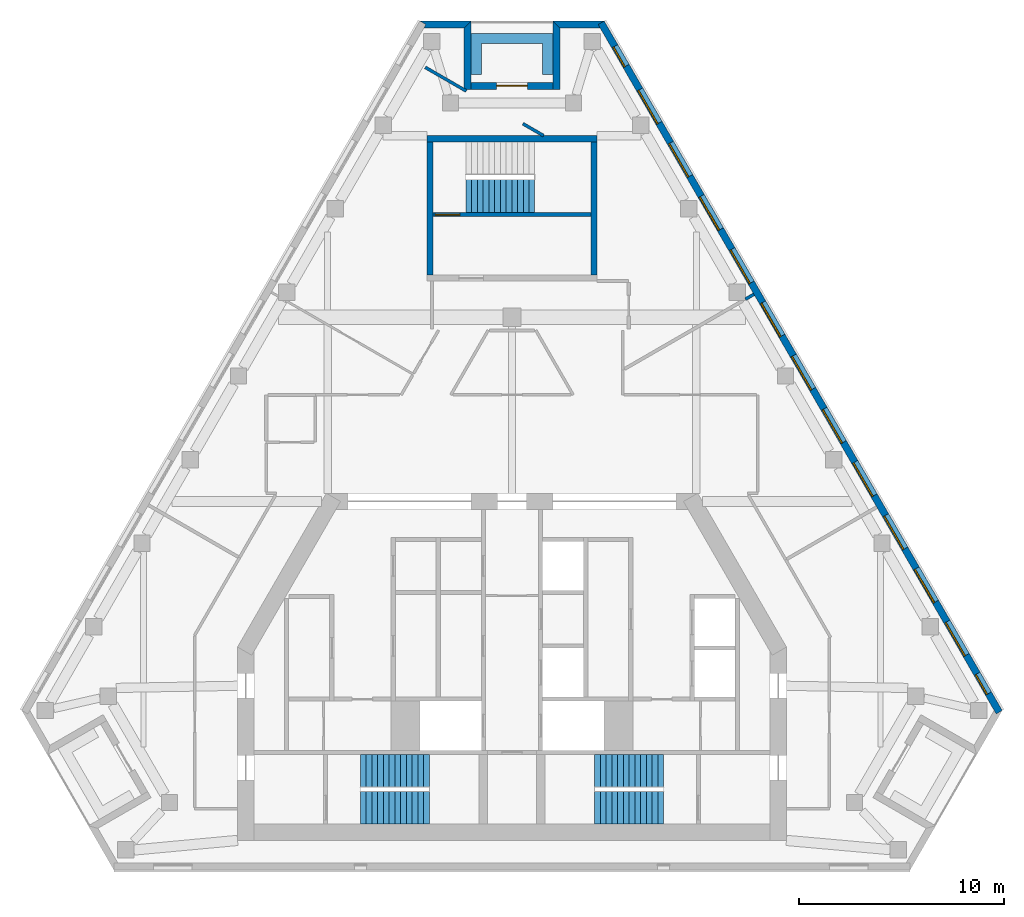
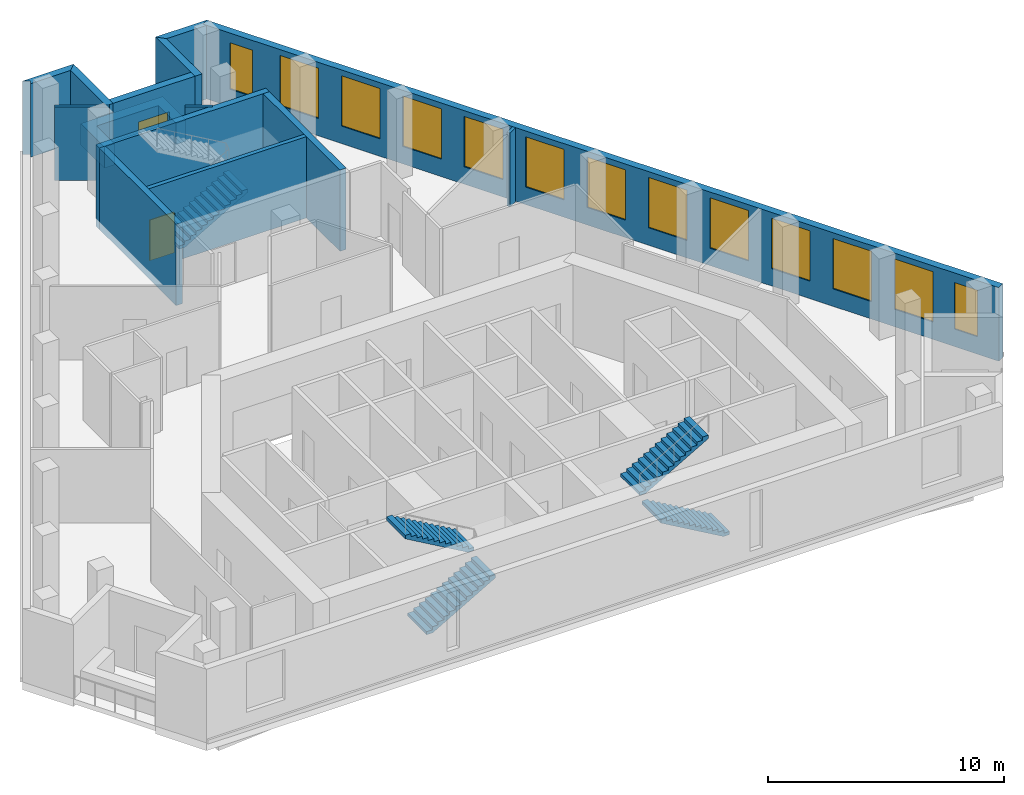
# One storey, part 6 of 8: 14 walls, 13 windows, 5 stair flights, 2 doors, 15 openings, 3 elements without a shape of their own.
"""IFC4 building model written with IfcOpenShell, lengths in metres."""

from ifc_helpers import new_model, si_unit, direction, frame, frame_2d, origin, place, context, subcontext, project, spatial, polyline, rectangle, outline, extrude, material, layer, layer_set, type_object, element, fill, aggregate, save


model = new_model("IFC4")

# Units and contexts
model_context = context("Model", 3, precision=1e-05, world=origin(), true_north=direction((0.0, 1.0)))
body_context = subcontext(model_context, "Body", "Model", "MODEL_VIEW")
ifc_project = project(units=[si_unit("LENGTHUNIT", "METRE"), si_unit("AREAUNIT", "SQUARE_METRE"), si_unit("VOLUMEUNIT", "CUBIC_METRE"), si_unit("PLANEANGLEUNIT", "RADIAN"), si_unit("MASSUNIT", "GRAM", prefix="KILO")], contexts=[model_context])

# Site, building, storey
site_placement = place(None, origin())
site = spatial("IfcSite", under=ifc_project, at=site_placement, CompositionType="ELEMENT")
building_placement = place(site_placement, origin())
building = spatial("IfcBuilding", under=site, at=building_placement, Name="Fogline Exchange Tower", CompositionType="ELEMENT")
storey_placement = place(building_placement, frame((0.0, 0.0, 335.10009765625)))
storey = spatial("IfcBuildingStorey", under=building, at=storey_placement, Name="L76", CompositionType="ELEMENT", Elevation=335.10009765625)

# Wall, opening, door
ifc_material_1 = material(Name="Concrete C40", Category="concrete")
ifc_layer_1 = layer(ifc_material_1, 0.199951171875)
ifc_layer_set_1 = layer_set([ifc_layer_1], Name="CW20R")
wall_type_1 = type_object("IfcWallType", Name="CW20R", PredefinedType="SOLIDWALL", material=ifc_layer_set_1)
wall_1_placement = place(storey_placement, frame((-3.85009765625, 32.007080078125, -0.400146484375), z_axis=(0.0, 0.0, 1.0), x_axis=(1.0, 0.0, 0.0)))
wall_1 = element("IfcWall", 1, at=wall_1_placement, inside=storey, type_object=wall_type_1, Name="Stair enclosure wall ST3", PredefinedType="SOLIDWALL", context=body_context, shape_type="SweptSolid", body=[
    extrude(rectangle(XDim=7.7001953125, YDim=0.199951171875, at=frame_2d((3.85009765625, 0.0))), origin(), (0.0, 0.0, 1.0), 4.199951171875),
])
opening_1_placement = place(wall_1_placement, frame((0.10009765625, 0.0, 0.39990234375)))
opening_1 = element("IfcOpeningElement", 2, at=opening_1_placement, cuts=wall_1, Name="Opening T24-C024", PredefinedType="OPENING", context=body_context, shape_type="SweptSolid", body=[
    extrude(rectangle(XDim=1.199951171875, YDim=2.10009765625, at=frame_2d((0.60009765625, 1.050048828125))), frame((0.0, 0.10986328125, 0.0), z_axis=(0.0, -1.0, 0.0), x_axis=(1.0, 0.0, 0.0)), (0.0, 0.0, 1.0), 0.219970703125),
])
ifc_material_2 = material(Name="Steel and timber fire door", Category="steel")
door_type_1 = type_object("IfcDoorType", Name="D-ST1", OperationType="SINGLE_SWING_LEFT", PredefinedType="DOOR", material=ifc_material_2)
door_1_placement = place(opening_1_placement, origin())
door_1 = element("IfcDoor", 3, at=door_1_placement, inside=storey, type_object=door_type_1, Name="Stair door ST3", OperationType="SINGLE_SWING_LEFT", OverallHeight=2.10009765625, OverallWidth=1.199951171875, PredefinedType="DOOR", context=body_context, shape_type="SweptSolid", body=[
    extrude(rectangle(XDim=1.199951171875, YDim=2.10009765625, at=frame_2d((0.60009765625, 1.050048828125))), frame((0.0, 0.02490234375, 0.0), z_axis=(0.0, -1.0, 0.0), x_axis=(1.0, 0.0, 0.0)), (0.0, 0.0, 1.0), 0.050048828125),
])
fill(opening_1, door_1)

# Walls
ifc_layer_2 = layer(ifc_material_1, 0.300048828125)
ifc_layer_set_2 = layer_set([ifc_layer_2], Name="CW30")
wall_type_2 = type_object("IfcWallType", Name="CW30", PredefinedType="SOLIDWALL", material=ifc_layer_set_2)
wall_2_placement = place(storey_placement, frame((-4.14990234375, 35.70703125, -0.400146484375), z_axis=(0.0, 0.0, 1.0), x_axis=(1.0, 0.0, 0.0)))
element("IfcWall", 4, at=wall_2_placement, inside=storey, type_object=wall_type_2, Name="Stair enclosure wall ST3", PredefinedType="SOLIDWALL", context=body_context, shape_type="SweptSolid", body=[
    extrude(rectangle(XDim=8.2998046875, YDim=0.300048828125, at=frame_2d((4.14990234375, 0.0))), origin(), (0.0, 0.0, 1.0), 4.199951171875),
])
for number, where, z_axis, x_axis, name in (
    (5, (-4.0, 29.056884765625, -0.400146484375), (0.0, 0.0, 1.0), (0.0, 1.0, 0.0), "Stair enclosure wall ST3"),
    (6, (4.0, 29.056884765625, -0.400146484375), (0.0, 0.0, 1.0), (0.0, 1.0, 0.0), "Stair enclosure wall ST3"),
):
    element("IfcWall", number, at=place(storey_placement, frame(where, z_axis=z_axis, x_axis=x_axis)), inside=storey, type_object=wall_type_2, Name=name, PredefinedType="SOLIDWALL", context=body_context, shape_type="SweptSolid", body=[
        extrude(rectangle(XDim=6.5, YDim=0.300048828125, at=frame_2d((3.25, 0.0))), origin(), (0.0, 0.0, 1.0), 4.199951171875),
    ])

# Wall, openings, windows
ifc_material_3 = material(Name="Brick masonry", Category="masonry")
ifc_layer_3 = layer(ifc_material_3, 0.340087890625)
ifc_layer_set_3 = layer_set([ifc_layer_3], Name="FW1")
wall_type_3 = type_object("IfcWallType", Name="FW1", PredefinedType="SOLIDWALL", material=ifc_layer_set_3)
wall_3_placement = place(storey_placement, frame((23.787841796875, 7.709228515625, 0.0), z_axis=(0.0, 0.0, 1.0), x_axis=(-0.500001731347, 0.866024404189, 0.0)))
wall_3 = element("IfcWall", 7, at=wall_3_placement, inside=storey, type_object=wall_type_3, Name="Brick wall L76 E", PredefinedType="SOLIDWALL", context=body_context, shape_type="SweptSolid", body=[
    extrude(rectangle(XDim=38.869873046875, YDim=0.340087890625, at=frame_2d((19.43505859375, 0.0))), origin(), (0.0, 0.0, 1.0), 3.7998046875),
])
opening_2_placement = place(wall_3_placement, frame((3.217529296875, 0.0, 0.89990234375)))
opening_2 = element("IfcOpeningElement", 8, at=opening_2_placement, cuts=wall_3, Name="Opening W3", PredefinedType="OPENING", context=body_context, shape_type="SweptSolid", body=[
    extrude(rectangle(XDim=1.885009765625, YDim=2.60009765625, at=frame_2d((0.9423828125, 1.300048828125))), frame((0.0, 0.18017578125, 0.0), z_axis=(0.0, -1.0, 0.0), x_axis=(1.0, 0.0, 0.0)), (0.0, 0.0, 1.0), 0.360107421875),
])
opening_3_placement = place(wall_3_placement, frame((6.217529296875, 0.0, 0.89990234375)))
opening_3 = element("IfcOpeningElement", 9, at=opening_3_placement, cuts=wall_3, Name="Opening W3", PredefinedType="OPENING", context=body_context, shape_type="SweptSolid", body=[
    extrude(rectangle(XDim=1.885009765625, YDim=2.60009765625, at=frame_2d((0.9423828125, 1.300048828125))), frame((0.0, 0.18017578125, 0.0), z_axis=(0.0, -1.0, 0.0), x_axis=(1.0, 0.0, 0.0)), (0.0, 0.0, 1.0), 0.360107421875),
])
opening_4_placement = place(wall_3_placement, frame((9.217529296875, 0.0, 0.89990234375)))
opening_4 = element("IfcOpeningElement", 10, at=opening_4_placement, cuts=wall_3, Name="Opening W3", PredefinedType="OPENING", context=body_context, shape_type="SweptSolid", body=[
    extrude(rectangle(XDim=1.885009765625, YDim=2.60009765625, at=frame_2d((0.9423828125, 1.300048828125))), frame((0.0, 0.18017578125, 0.0), z_axis=(0.0, -1.0, 0.0), x_axis=(1.0, 0.0, 0.0)), (0.0, 0.0, 1.0), 0.360107421875),
])
opening_5_placement = place(wall_3_placement, frame((12.217529296875, 0.0, 0.89990234375)))
opening_5 = element("IfcOpeningElement", 11, at=opening_5_placement, cuts=wall_3, Name="Opening W3", PredefinedType="OPENING", context=body_context, shape_type="SweptSolid", body=[
    extrude(rectangle(XDim=1.885009765625, YDim=2.60009765625, at=frame_2d((0.9423828125, 1.300048828125))), frame((0.0, 0.18017578125, 0.0), z_axis=(0.0, -1.0, 0.0), x_axis=(1.0, 0.0, 0.0)), (0.0, 0.0, 1.0), 0.360107421875),
])
opening_6_placement = place(wall_3_placement, frame((15.217529296875, 0.0, 0.89990234375)))
opening_6 = element("IfcOpeningElement", 12, at=opening_6_placement, cuts=wall_3, Name="Opening W3", PredefinedType="OPENING", context=body_context, shape_type="SweptSolid", body=[
    extrude(rectangle(XDim=1.885009765625, YDim=2.60009765625, at=frame_2d((0.9423828125, 1.300048828125))), frame((0.0, 0.18017578125, 0.0), z_axis=(0.0, -1.0, 0.0), x_axis=(1.0, 0.0, 0.0)), (0.0, 0.0, 1.0), 0.360107421875),
])
opening_7_placement = place(wall_3_placement, frame((18.217529296875, 0.0, 0.89990234375)))
opening_7 = element("IfcOpeningElement", 13, at=opening_7_placement, cuts=wall_3, Name="Opening W3", PredefinedType="OPENING", context=body_context, shape_type="SweptSolid", body=[
    extrude(rectangle(XDim=1.885009765625, YDim=2.60009765625, at=frame_2d((0.9423828125, 1.300048828125))), frame((0.0, 0.18017578125, 0.0), z_axis=(0.0, -1.0, 0.0), x_axis=(1.0, 0.0, 0.0)), (0.0, 0.0, 1.0), 0.360107421875),
])
opening_8_placement = place(wall_3_placement, frame((21.217529296875, 0.0, 0.89990234375)))
opening_8 = element("IfcOpeningElement", 14, at=opening_8_placement, cuts=wall_3, Name="Opening W3", PredefinedType="OPENING", context=body_context, shape_type="SweptSolid", body=[
    extrude(rectangle(XDim=1.885009765625, YDim=2.60009765625, at=frame_2d((0.9423828125, 1.300048828125))), frame((0.0, 0.18017578125, 0.0), z_axis=(0.0, -1.0, 0.0), x_axis=(1.0, 0.0, 0.0)), (0.0, 0.0, 1.0), 0.360107421875),
])
opening_9_placement = place(wall_3_placement, frame((24.217529296875, 0.0, 0.89990234375)))
opening_9 = element("IfcOpeningElement", 15, at=opening_9_placement, cuts=wall_3, Name="Opening W3", PredefinedType="OPENING", context=body_context, shape_type="SweptSolid", body=[
    extrude(rectangle(XDim=1.885009765625, YDim=2.60009765625, at=frame_2d((0.9423828125, 1.300048828125))), frame((0.0, 0.18017578125, 0.0), z_axis=(0.0, -1.0, 0.0), x_axis=(1.0, 0.0, 0.0)), (0.0, 0.0, 1.0), 0.360107421875),
])
opening_10_placement = place(wall_3_placement, frame((27.217529296875, 0.0, 0.89990234375)))
opening_10 = element("IfcOpeningElement", 16, at=opening_10_placement, cuts=wall_3, Name="Opening W3", PredefinedType="OPENING", context=body_context, shape_type="SweptSolid", body=[
    extrude(rectangle(XDim=1.885009765625, YDim=2.60009765625, at=frame_2d((0.9423828125, 1.300048828125))), frame((0.0, 0.18017578125, 0.0), z_axis=(0.0, -1.0, 0.0), x_axis=(1.0, 0.0, 0.0)), (0.0, 0.0, 1.0), 0.360107421875),
])
opening_11_placement = place(wall_3_placement, frame((30.217529296875, 0.0, 0.89990234375)))
opening_11 = element("IfcOpeningElement", 17, at=opening_11_placement, cuts=wall_3, Name="Opening W3", PredefinedType="OPENING", context=body_context, shape_type="SweptSolid", body=[
    extrude(rectangle(XDim=1.885009765625, YDim=2.60009765625, at=frame_2d((0.9423828125, 1.300048828125))), frame((0.0, 0.18017578125, 0.0), z_axis=(0.0, -1.0, 0.0), x_axis=(1.0, 0.0, 0.0)), (0.0, 0.0, 1.0), 0.360107421875),
])
opening_12_placement = place(wall_3_placement, frame((33.217529296875, 0.0, 0.89990234375)))
opening_12 = element("IfcOpeningElement", 18, at=opening_12_placement, cuts=wall_3, Name="Opening W3", PredefinedType="OPENING", context=body_context, shape_type="SweptSolid", body=[
    extrude(rectangle(XDim=1.885009765625, YDim=2.60009765625, at=frame_2d((0.9423828125, 1.300048828125))), frame((0.0, 0.18017578125, 0.0), z_axis=(0.0, -1.0, 0.0), x_axis=(1.0, 0.0, 0.0)), (0.0, 0.0, 1.0), 0.360107421875),
])
opening_13_placement = place(wall_3_placement, frame((1.05126953125, 0.0, 0.89990234375)))
opening_13 = element("IfcOpeningElement", 19, at=opening_13_placement, cuts=wall_3, Name="Opening W4", PredefinedType="OPENING", context=body_context, shape_type="SweptSolid", body=[
    extrude(rectangle(XDim=1.114990234375, YDim=2.39990234375, at=frame_2d((0.5576171875, 1.199951171875))), frame((0.0, 0.18017578125, 0.0), z_axis=(0.0, -1.0, 0.0), x_axis=(1.0, 0.0, 0.0)), (0.0, 0.0, 1.0), 0.360107421875),
])
opening_14_placement = place(wall_3_placement, frame((36.4287109375, 0.0, 0.89990234375)))
opening_14 = element("IfcOpeningElement", 20, at=opening_14_placement, cuts=wall_3, Name="Opening W4", PredefinedType="OPENING", context=body_context, shape_type="SweptSolid", body=[
    extrude(rectangle(XDim=1.114990234375, YDim=2.39990234375, at=frame_2d((0.5576171875, 1.199951171875))), frame((0.0, 0.18017578125, 0.0), z_axis=(0.0, -1.0, 0.0), x_axis=(1.0, 0.0, 0.0)), (0.0, 0.0, 1.0), 0.360107421875),
])
ifc_material_4 = material(Name="Aluminium and glass", Category="aluminium")
window_type_1 = type_object("IfcWindowType", Name="W3", PartitioningType="SINGLE_PANEL", PredefinedType="WINDOW", material=ifc_material_4)
window_1_placement = place(opening_2_placement, origin())
window_1 = element("IfcWindow", 21, at=window_1_placement, inside=storey, type_object=window_type_1, Name="W3 W3", OverallHeight=2.60009765625, OverallWidth=1.885009765625, PartitioningType="SINGLE_PANEL", PredefinedType="WINDOW", context=body_context, shape_type="SweptSolid", body=[
    extrude(rectangle(XDim=1.885009765625, YDim=2.60009765625, at=frame_2d((0.9423828125, 1.300048828125))), frame((0.0, 0.110107421875, 0.0), z_axis=(0.0, -1.0, 0.0), x_axis=(1.0, 0.0, 0.0)), (0.0, 0.0, 1.0), 0.06005859375),
])
fill(opening_2, window_1)
window_2_placement = place(opening_3_placement, origin())
window_2 = element("IfcWindow", 22, at=window_2_placement, inside=storey, type_object=window_type_1, Name="W3 W3", OverallHeight=2.60009765625, OverallWidth=1.885009765625, PartitioningType="SINGLE_PANEL", PredefinedType="WINDOW", context=body_context, shape_type="SweptSolid", body=[
    extrude(rectangle(XDim=1.885009765625, YDim=2.60009765625, at=frame_2d((0.9423828125, 1.300048828125))), frame((0.0, 0.110107421875, 0.0), z_axis=(0.0, -1.0, 0.0), x_axis=(1.0, 0.0, 0.0)), (0.0, 0.0, 1.0), 0.06005859375),
])
fill(opening_3, window_2)
window_3_placement = place(opening_4_placement, origin())
window_3 = element("IfcWindow", 23, at=window_3_placement, inside=storey, type_object=window_type_1, Name="W3 W3", OverallHeight=2.60009765625, OverallWidth=1.885009765625, PartitioningType="SINGLE_PANEL", PredefinedType="WINDOW", context=body_context, shape_type="SweptSolid", body=[
    extrude(rectangle(XDim=1.885009765625, YDim=2.60009765625, at=frame_2d((0.9423828125, 1.300048828125))), frame((0.0, 0.110107421875, 0.0), z_axis=(0.0, -1.0, 0.0), x_axis=(1.0, 0.0, 0.0)), (0.0, 0.0, 1.0), 0.06005859375),
])
fill(opening_4, window_3)
window_4_placement = place(opening_5_placement, origin())
window_4 = element("IfcWindow", 24, at=window_4_placement, inside=storey, type_object=window_type_1, Name="W3 W3", OverallHeight=2.60009765625, OverallWidth=1.885009765625, PartitioningType="SINGLE_PANEL", PredefinedType="WINDOW", context=body_context, shape_type="SweptSolid", body=[
    extrude(rectangle(XDim=1.885009765625, YDim=2.60009765625, at=frame_2d((0.9423828125, 1.300048828125))), frame((0.0, 0.110107421875, 0.0), z_axis=(0.0, -1.0, 0.0), x_axis=(1.0, 0.0, 0.0)), (0.0, 0.0, 1.0), 0.06005859375),
])
fill(opening_5, window_4)
window_5_placement = place(opening_6_placement, origin())
window_5 = element("IfcWindow", 25, at=window_5_placement, inside=storey, type_object=window_type_1, Name="W3 W3", OverallHeight=2.60009765625, OverallWidth=1.885009765625, PartitioningType="SINGLE_PANEL", PredefinedType="WINDOW", context=body_context, shape_type="SweptSolid", body=[
    extrude(rectangle(XDim=1.885009765625, YDim=2.60009765625, at=frame_2d((0.9423828125, 1.300048828125))), frame((0.0, 0.110107421875, 0.0), z_axis=(0.0, -1.0, 0.0), x_axis=(1.0, 0.0, 0.0)), (0.0, 0.0, 1.0), 0.06005859375),
])
fill(opening_6, window_5)
window_6_placement = place(opening_7_placement, origin())
window_6 = element("IfcWindow", 26, at=window_6_placement, inside=storey, type_object=window_type_1, Name="W3 W3", OverallHeight=2.60009765625, OverallWidth=1.885009765625, PartitioningType="SINGLE_PANEL", PredefinedType="WINDOW", context=body_context, shape_type="SweptSolid", body=[
    extrude(rectangle(XDim=1.885009765625, YDim=2.60009765625, at=frame_2d((0.9423828125, 1.300048828125))), frame((0.0, 0.110107421875, 0.0), z_axis=(0.0, -1.0, 0.0), x_axis=(1.0, 0.0, 0.0)), (0.0, 0.0, 1.0), 0.06005859375),
])
fill(opening_7, window_6)
window_7_placement = place(opening_8_placement, origin())
window_7 = element("IfcWindow", 27, at=window_7_placement, inside=storey, type_object=window_type_1, Name="W3 W3", OverallHeight=2.60009765625, OverallWidth=1.885009765625, PartitioningType="SINGLE_PANEL", PredefinedType="WINDOW", context=body_context, shape_type="SweptSolid", body=[
    extrude(rectangle(XDim=1.885009765625, YDim=2.60009765625, at=frame_2d((0.9423828125, 1.300048828125))), frame((0.0, 0.110107421875, 0.0), z_axis=(0.0, -1.0, 0.0), x_axis=(1.0, 0.0, 0.0)), (0.0, 0.0, 1.0), 0.06005859375),
])
fill(opening_8, window_7)
window_8_placement = place(opening_9_placement, origin())
window_8 = element("IfcWindow", 28, at=window_8_placement, inside=storey, type_object=window_type_1, Name="W3 W3", OverallHeight=2.60009765625, OverallWidth=1.885009765625, PartitioningType="SINGLE_PANEL", PredefinedType="WINDOW", context=body_context, shape_type="SweptSolid", body=[
    extrude(rectangle(XDim=1.885009765625, YDim=2.60009765625, at=frame_2d((0.9423828125, 1.300048828125))), frame((0.0, 0.110107421875, 0.0), z_axis=(0.0, -1.0, 0.0), x_axis=(1.0, 0.0, 0.0)), (0.0, 0.0, 1.0), 0.06005859375),
])
fill(opening_9, window_8)
window_9_placement = place(opening_10_placement, origin())
window_9 = element("IfcWindow", 29, at=window_9_placement, inside=storey, type_object=window_type_1, Name="W3 W3", OverallHeight=2.60009765625, OverallWidth=1.885009765625, PartitioningType="SINGLE_PANEL", PredefinedType="WINDOW", context=body_context, shape_type="SweptSolid", body=[
    extrude(rectangle(XDim=1.885009765625, YDim=2.60009765625, at=frame_2d((0.9423828125, 1.300048828125))), frame((0.0, 0.110107421875, 0.0), z_axis=(0.0, -1.0, 0.0), x_axis=(1.0, 0.0, 0.0)), (0.0, 0.0, 1.0), 0.06005859375),
])
fill(opening_10, window_9)
window_10_placement = place(opening_11_placement, origin())
window_10 = element("IfcWindow", 30, at=window_10_placement, inside=storey, type_object=window_type_1, Name="W3 W3", OverallHeight=2.60009765625, OverallWidth=1.885009765625, PartitioningType="SINGLE_PANEL", PredefinedType="WINDOW", context=body_context, shape_type="SweptSolid", body=[
    extrude(rectangle(XDim=1.885009765625, YDim=2.60009765625, at=frame_2d((0.9423828125, 1.300048828125))), frame((0.0, 0.110107421875, 0.0), z_axis=(0.0, -1.0, 0.0), x_axis=(1.0, 0.0, 0.0)), (0.0, 0.0, 1.0), 0.06005859375),
])
fill(opening_11, window_10)
window_11_placement = place(opening_12_placement, origin())
window_11 = element("IfcWindow", 31, at=window_11_placement, inside=storey, type_object=window_type_1, Name="W3 W3", OverallHeight=2.60009765625, OverallWidth=1.885009765625, PartitioningType="SINGLE_PANEL", PredefinedType="WINDOW", context=body_context, shape_type="SweptSolid", body=[
    extrude(rectangle(XDim=1.885009765625, YDim=2.60009765625, at=frame_2d((0.9423828125, 1.300048828125))), frame((0.0, 0.110107421875, 0.0), z_axis=(0.0, -1.0, 0.0), x_axis=(1.0, 0.0, 0.0)), (0.0, 0.0, 1.0), 0.06005859375),
])
fill(opening_12, window_11)
window_type_2 = type_object("IfcWindowType", Name="W4", PartitioningType="SINGLE_PANEL", PredefinedType="WINDOW", material=ifc_material_4)
window_12_placement = place(opening_13_placement, origin())
window_12 = element("IfcWindow", 32, at=window_12_placement, inside=storey, type_object=window_type_2, Name="W4 W4", OverallHeight=2.39990234375, OverallWidth=1.114990234375, PartitioningType="SINGLE_PANEL", PredefinedType="WINDOW", context=body_context, shape_type="SweptSolid", body=[
    extrude(rectangle(XDim=1.114990234375, YDim=2.39990234375, at=frame_2d((0.5576171875, 1.199951171875))), frame((0.0, 0.110107421875, 0.0), z_axis=(0.0, -1.0, 0.0), x_axis=(1.0, 0.0, 0.0)), (0.0, 0.0, 1.0), 0.06005859375),
])
fill(opening_13, window_12)
window_13_placement = place(opening_14_placement, origin())
window_13 = element("IfcWindow", 33, at=window_13_placement, inside=storey, type_object=window_type_2, Name="W4 W4", OverallHeight=2.39990234375, OverallWidth=1.114990234375, PartitioningType="SINGLE_PANEL", PredefinedType="WINDOW", context=body_context, shape_type="SweptSolid", body=[
    extrude(rectangle(XDim=1.114990234375, YDim=2.39990234375, at=frame_2d((0.5576171875, 1.199951171875))), frame((0.0, 0.110107421875, 0.0), z_axis=(0.0, -1.0, 0.0), x_axis=(1.0, 0.0, 0.0)), (0.0, 0.0, 1.0), 0.06005859375),
])
fill(opening_14, window_13)

# Walls
wall_4_placement = place(storey_placement, origin())
element("IfcWall", 34, at=wall_4_placement, inside=storey, type_object=wall_type_3, Name="Brick wall L76 N-c1", PredefinedType="SOLIDWALL", context=body_context, shape_type="SweptSolid", body=[
    extrude(outline(polyline([(1.9990234375, 41.457275390625), (4.5009765625, 41.457275390625), (4.501220703125, 41.456787109375), (4.206298828125, 41.286376953125), (4.3046875, 41.115966796875), (2.33984375, 41.115966796875), (1.998779296875, 41.45703125), (1.9990234375, 41.457275390625)])), origin(), (0.0, 0.0, 1.0), 3.7998046875),
])
wall_5_placement = place(storey_placement, origin())
element("IfcWall", 35, at=wall_5_placement, inside=storey, type_object=wall_type_3, Name="Brick wall L76 N-s1", PredefinedType="SOLIDWALL", context=body_context, shape_type="SweptSolid", body=[
    extrude(outline(polyline([(2.340576171875, 38.115966796875), (1.99951171875, 38.115966796875), (1.99951171875, 41.457763671875), (1.999755859375, 41.457763671875), (2.340576171875, 41.116943359375), (2.340576171875, 38.115966796875)])), origin(), (0.0, 0.0, 1.0), 3.7998046875),
])

# Wall, opening, door
wall_6_placement = place(storey_placement, frame((2.0, 38.28662109375, 0.0), z_axis=(0.0, 0.0, 1.0), x_axis=(-1.0, 0.0, 0.0)))
wall_6 = element("IfcWall", 36, at=wall_6_placement, inside=storey, type_object=wall_type_3, Name="Brick wall L76 N-bk", PredefinedType="SOLIDWALL", context=body_context, shape_type="SweptSolid", body=[
    extrude(rectangle(XDim=4.0, YDim=0.340087890625, at=frame_2d((2.0, 0.0))), origin(), (0.0, 0.0, 1.0), 3.7998046875),
])
opening_15_placement = place(wall_6_placement, frame((1.25, 0.0, 0.0)))
opening_15 = element("IfcOpeningElement", 37, at=opening_15_placement, cuts=wall_6, Name="Opening T24-E141", PredefinedType="OPENING", context=body_context, shape_type="SweptSolid", body=[
    extrude(rectangle(XDim=1.5, YDim=2.39990234375, at=frame_2d((0.75, 1.199951171875))), frame((0.0, 0.18017578125, 0.0), z_axis=(0.0, -1.0, 0.0), x_axis=(1.0, 0.0, 0.0)), (0.0, 0.0, 1.0), 0.360107421875),
])
door_type_2 = type_object("IfcDoorType", Name="ED4", OperationType="SINGLE_SWING_LEFT", PredefinedType="DOOR", material=ifc_material_4)
door_2_placement = place(opening_15_placement, frame((1.5, 0.0, 0.0), z_axis=(0.0, 0.0, 1.0), x_axis=(-1.0, 0.0, 0.0)))
door_2 = element("IfcDoor", 38, at=door_2_placement, inside=storey, type_object=door_type_2, Name="Balcony door L76 N", OperationType="DOUBLE_DOOR_SINGLE_SWING", OverallHeight=2.39990234375, OverallWidth=1.5, PredefinedType="DOOR", context=body_context, shape_type="SweptSolid", body=[
    extrude(rectangle(XDim=1.5, YDim=2.39990234375, at=frame_2d((0.75, 1.199951171875))), frame((0.0, 0.02490234375, 0.0), z_axis=(0.0, -1.0, 0.0), x_axis=(1.0, 0.0, 0.0)), (0.0, 0.0, 1.0), 0.050048828125),
])
fill(opening_15, door_2)

# Walls
wall_7_placement = place(storey_placement, origin())
element("IfcWall", 39, at=wall_7_placement, inside=storey, type_object=wall_type_3, Name="Brick wall L76 N-s2", PredefinedType="SOLIDWALL", context=body_context, shape_type="SweptSolid", body=[
    extrude(outline(polyline([(-1.99951171875, 41.457763671875), (-1.99951171875, 38.115966796875), (-2.340576171875, 38.115966796875), (-2.340576171875, 41.116943359375), (-1.999755859375, 41.457763671875), (-1.99951171875, 41.457763671875)])), origin(), (0.0, 0.0, 1.0), 3.7998046875),
])
wall_8_placement = place(storey_placement, origin())
element("IfcWall", 40, at=wall_8_placement, inside=storey, type_object=wall_type_3, Name="Brick wall L76 N-c2", PredefinedType="SOLIDWALL", context=body_context, shape_type="SweptSolid", body=[
    extrude(outline(polyline([(-4.3046875, 41.115966796875), (-4.206298828125, 41.286376953125), (-4.501220703125, 41.456787109375), (-4.5009765625, 41.457275390625), (-1.9990234375, 41.457275390625), (-1.998779296875, 41.45703125), (-2.33984375, 41.115966796875), (-4.3046875, 41.115966796875)])), origin(), (0.0, 0.0, 1.0), 3.7998046875),
])
ifc_material_5 = material(Name="Concrete C30", Category="concrete")
ifc_layer_4 = layer(ifc_material_5, 0.199951171875)
ifc_layer_set_4 = layer_set([ifc_layer_4], Name="PL1")
wall_type_4 = type_object("IfcWallType", Name="PL1", PredefinedType="USERDEFINED", material=ifc_layer_set_4)
wall_9_placement = place(storey_placement, origin())
element("IfcWall", 41, at=wall_9_placement, inside=storey, type_object=wall_type_4, Name="PLANTER balcony L76 N", ObjectType="PLANTER", PredefinedType="USERDEFINED", context=body_context, shape_type="SweptSolid", body=[
    extrude(outline(polyline([(-1.5, 40.856689453125), (-2.0, 40.856689453125), (-2.0, 40.356689453125), (-2.0, 38.856689453125), (-1.5, 38.856689453125), (-1.5, 40.356689453125), (1.5, 40.356689453125), (1.5, 38.856689453125), (2.0, 38.856689453125), (2.0, 40.356689453125), (2.0, 40.856689453125), (1.5, 40.856689453125), (-1.5, 40.856689453125)])), origin(), (0.0, 0.0, 1.0), 1.099853515625),
])
ifc_material_6 = material(Name="Plasterboard demising partition with mineral wool and acoustic board")
ifc_layer_5 = layer(ifc_material_6, 0.14990234375)
ifc_layer_set_5 = layer_set([ifc_layer_5], Name="PW3")
wall_type_5 = type_object("IfcWallType", Name="PW3", PredefinedType="PARTITIONING", material=ifc_layer_set_5)
wall_10_placement = place(storey_placement, frame((11.394287109375, 27.8740234375, 0.0), z_axis=(0.0, 0.0, 1.0), x_axis=(0.865889515344, 0.500235291855, 0.0)))
element("IfcWall", 42, at=wall_10_placement, inside=storey, type_object=wall_type_5, Name="wall-L76-W029", PredefinedType="PARTITIONING", context=body_context, shape_type="SweptSolid", body=[
    extrude(rectangle(XDim=0.480712890625, YDim=0.14990234375, at=frame_2d((0.240234375, 0.0))), origin(), (0.0, 0.0, 1.0), 3.7998046875),
])
wall_11_placement = place(storey_placement, frame((1.54638671875, 35.85693359375, 0.0), z_axis=(0.0, 0.0, 1.0), x_axis=(-0.86601174498, 0.500023656998, 0.0)))
element("IfcWall", 43, at=wall_11_placement, inside=storey, type_object=wall_type_5, Name="wall-L76-W031", PredefinedType="PARTITIONING", context=body_context, shape_type="SweptSolid", body=[
    extrude(rectangle(XDim=1.16943359375, YDim=0.14990234375, at=frame_2d((0.584716796875, 0.0))), origin(), (0.0, 0.0, 1.0), 3.7998046875),
])
wall_12_placement = place(storey_placement, frame((-2.231689453125, 38.0380859375, 0.0), z_axis=(0.0, 0.0, 1.0), x_axis=(-0.865994042453, 0.500054315485, 0.0)))
element("IfcWall", 44, at=wall_12_placement, inside=storey, type_object=wall_type_5, Name="wall-L76-W032", PredefinedType="PARTITIONING", context=body_context, shape_type="SweptSolid", body=[
    extrude(rectangle(XDim=2.313720703125, YDim=0.14990234375, at=frame_2d((1.15673828125, 0.0))), origin(), (0.0, 0.0, 1.0), 3.7998046875),
])

# Stair, stair flights
stair_type = type_object("IfcStairType", Name="STR26-1615", PredefinedType="HALF_TURN_STAIR", material=ifc_material_1)
stair_1_placement = place(storey_placement, origin())
stair_1 = element("IfcStair", 45, at=stair_1_placement, inside=storey, type_object=stair_type, Name="Stair ST1", PredefinedType="HALF_TURN_STAIR")
stair_flight_type = type_object("IfcStairFlightType", Name="SF13-1615", PredefinedType="STRAIGHT", material=ifc_material_1)
stair_flight_1_placement = place(storey_placement, frame((-7.39990234375, 3.050048828125, 0.0), z_axis=(0.0, 0.0, 1.0), x_axis=(1.0, 0.0, 0.0)))
stair_flight_1 = element("IfcStairFlight", 46, at=stair_flight_1_placement, type_object=stair_flight_type, Name="ST1 flight 1", NumberOfRisers=13, NumberOfTreads=12, PredefinedType="STRAIGHT", RiserHeight=0.161538462, TreadLength=0.28, context=body_context, shape_type="SweptSolid", body=[
    extrude(outline(polyline([(0.0, 0.0), (0.0, 0.16162109375), (0.280029296875, 0.16162109375), (0.280029296875, 0.322998046875), (0.56005859375, 0.322998046875), (0.56005859375, 0.484619140625), (0.840087890625, 0.484619140625), (0.840087890625, 0.646240234375), (1.1201171875, 0.646240234375), (1.1201171875, 0.8076171875), (1.39990234375, 0.8076171875), (1.39990234375, 0.96923828125), (1.679931640625, 0.96923828125), (1.679931640625, 1.130859375), (1.9599609375, 1.130859375), (1.9599609375, 1.292236328125), (2.239990234375, 1.292236328125), (2.239990234375, 1.453857421875), (2.52001953125, 1.453857421875), (2.52001953125, 1.615478515625), (2.800048828125, 1.615478515625), (2.800048828125, 1.77685546875), (3.080078125, 1.77685546875), (3.080078125, 1.9384765625), (3.360107421875, 1.9384765625), (3.360107421875, 2.10009765625), (3.360107421875, 1.765380859375), (0.300048828125, 0.0), (0.0, 0.0)])), frame((0.0, 0.800048828125, 0.0), z_axis=(0.0, -1.0, 0.0), x_axis=(1.0, 0.0, 0.0)), (0.0, 0.0, 1.0), 1.60009765625),
])
stair_flight_2_placement = place(storey_placement, frame((-4.0400390625, 4.85009765625, 2.099853515625), z_axis=(0.0, 0.0, 1.0), x_axis=(-1.0, 0.0, 0.0)))
stair_flight_2 = element("IfcStairFlight", 47, at=stair_flight_2_placement, type_object=stair_flight_type, Name="ST1 flight 2", NumberOfRisers=13, NumberOfTreads=12, PredefinedType="STRAIGHT", RiserHeight=0.161538462, TreadLength=0.28, context=body_context, shape_type="SweptSolid", body=[
    extrude(outline(polyline([(0.0, 0.0), (0.0, 0.16162109375), (0.280029296875, 0.16162109375), (0.280029296875, 0.322998046875), (0.56005859375, 0.322998046875), (0.56005859375, 0.484619140625), (0.840087890625, 0.484619140625), (0.840087890625, 0.646240234375), (1.1201171875, 0.646240234375), (1.1201171875, 0.8076171875), (1.39990234375, 0.8076171875), (1.39990234375, 0.96923828125), (1.679931640625, 0.96923828125), (1.679931640625, 1.130859375), (1.9599609375, 1.130859375), (1.9599609375, 1.292236328125), (2.239990234375, 1.292236328125), (2.239990234375, 1.453857421875), (2.52001953125, 1.453857421875), (2.52001953125, 1.615478515625), (2.800048828125, 1.615478515625), (2.800048828125, 1.77685546875), (3.080078125, 1.77685546875), (3.080078125, 1.9384765625), (3.360107421875, 1.9384765625), (3.360107421875, 2.10009765625), (3.360107421875, 1.765380859375), (0.300048828125, 0.0), (0.0, 0.0)])), frame((0.0, 0.800048828125, 0.0), z_axis=(0.0, -1.0, 0.0), x_axis=(1.0, 0.0, 0.0)), (0.0, 0.0, 1.0), 1.60009765625),
])
aggregate(stair_1, [stair_flight_1, stair_flight_2])

stair_2_placement = place(storey_placement, origin())
stair_2 = element("IfcStair", 48, at=stair_2_placement, inside=storey, type_object=stair_type, Name="Stair ST2", PredefinedType="HALF_TURN_STAIR")
stair_flight_3_placement = place(storey_placement, frame((7.39990234375, 3.050048828125, 0.0), z_axis=(0.0, 0.0, 1.0), x_axis=(-1.0, 0.0, 0.0)))
stair_flight_3 = element("IfcStairFlight", 49, at=stair_flight_3_placement, type_object=stair_flight_type, Name="ST2 flight 1", NumberOfRisers=13, NumberOfTreads=12, PredefinedType="STRAIGHT", RiserHeight=0.161538462, TreadLength=0.28, context=body_context, shape_type="SweptSolid", body=[
    extrude(outline(polyline([(0.0, 0.0), (0.0, 0.16162109375), (0.280029296875, 0.16162109375), (0.280029296875, 0.322998046875), (0.56005859375, 0.322998046875), (0.56005859375, 0.484619140625), (0.840087890625, 0.484619140625), (0.840087890625, 0.646240234375), (1.1201171875, 0.646240234375), (1.1201171875, 0.8076171875), (1.39990234375, 0.8076171875), (1.39990234375, 0.96923828125), (1.679931640625, 0.96923828125), (1.679931640625, 1.130859375), (1.9599609375, 1.130859375), (1.9599609375, 1.292236328125), (2.239990234375, 1.292236328125), (2.239990234375, 1.453857421875), (2.52001953125, 1.453857421875), (2.52001953125, 1.615478515625), (2.800048828125, 1.615478515625), (2.800048828125, 1.77685546875), (3.080078125, 1.77685546875), (3.080078125, 1.9384765625), (3.360107421875, 1.9384765625), (3.360107421875, 2.10009765625), (3.360107421875, 1.765380859375), (0.300048828125, 0.0), (0.0, 0.0)])), frame((0.0, 0.800048828125, 0.0), z_axis=(0.0, -1.0, 0.0), x_axis=(1.0, 0.0, 0.0)), (0.0, 0.0, 1.0), 1.60009765625),
])
stair_flight_4_placement = place(storey_placement, frame((4.0400390625, 4.85009765625, 2.099853515625), z_axis=(0.0, 0.0, 1.0), x_axis=(1.0, 0.0, 0.0)))
stair_flight_4 = element("IfcStairFlight", 50, at=stair_flight_4_placement, type_object=stair_flight_type, Name="ST2 flight 2", NumberOfRisers=13, NumberOfTreads=12, PredefinedType="STRAIGHT", RiserHeight=0.161538462, TreadLength=0.28, context=body_context, shape_type="SweptSolid", body=[
    extrude(outline(polyline([(0.0, 0.0), (0.0, 0.16162109375), (0.280029296875, 0.16162109375), (0.280029296875, 0.322998046875), (0.56005859375, 0.322998046875), (0.56005859375, 0.484619140625), (0.840087890625, 0.484619140625), (0.840087890625, 0.646240234375), (1.1201171875, 0.646240234375), (1.1201171875, 0.8076171875), (1.39990234375, 0.8076171875), (1.39990234375, 0.96923828125), (1.679931640625, 0.96923828125), (1.679931640625, 1.130859375), (1.9599609375, 1.130859375), (1.9599609375, 1.292236328125), (2.239990234375, 1.292236328125), (2.239990234375, 1.453857421875), (2.52001953125, 1.453857421875), (2.52001953125, 1.615478515625), (2.800048828125, 1.615478515625), (2.800048828125, 1.77685546875), (3.080078125, 1.77685546875), (3.080078125, 1.9384765625), (3.360107421875, 1.9384765625), (3.360107421875, 2.10009765625), (3.360107421875, 1.765380859375), (0.300048828125, 0.0), (0.0, 0.0)])), frame((0.0, 0.800048828125, 0.0), z_axis=(0.0, -1.0, 0.0), x_axis=(1.0, 0.0, 0.0)), (0.0, 0.0, 1.0), 1.60009765625),
])
aggregate(stair_2, [stair_flight_3, stair_flight_4])

# Stair, stair flight
stair_3_placement = place(storey_placement, origin())
stair_3 = element("IfcStair", 51, at=stair_3_placement, inside=storey, type_object=stair_type, Name="Stair ST3", PredefinedType="HALF_TURN_STAIR")
stair_flight_5_placement = place(storey_placement, frame((-2.25, 32.906982421875, 0.0), z_axis=(0.0, 0.0, 1.0), x_axis=(1.0, 0.0, 0.0)))
stair_flight_5 = element("IfcStairFlight", 52, at=stair_flight_5_placement, type_object=stair_flight_type, Name="ST3 flight 1", NumberOfRisers=13, NumberOfTreads=12, PredefinedType="STRAIGHT", RiserHeight=0.161538462, TreadLength=0.28, context=body_context, shape_type="SweptSolid", body=[
    extrude(outline(polyline([(0.0, 0.0), (0.0, 0.16162109375), (0.280029296875, 0.16162109375), (0.280029296875, 0.322998046875), (0.56005859375, 0.322998046875), (0.56005859375, 0.484619140625), (0.840087890625, 0.484619140625), (0.840087890625, 0.646240234375), (1.1201171875, 0.646240234375), (1.1201171875, 0.8076171875), (1.39990234375, 0.8076171875), (1.39990234375, 0.96923828125), (1.679931640625, 0.96923828125), (1.679931640625, 1.130859375), (1.9599609375, 1.130859375), (1.9599609375, 1.292236328125), (2.239990234375, 1.292236328125), (2.239990234375, 1.453857421875), (2.52001953125, 1.453857421875), (2.52001953125, 1.615478515625), (2.800048828125, 1.615478515625), (2.800048828125, 1.77685546875), (3.080078125, 1.77685546875), (3.080078125, 1.9384765625), (3.360107421875, 1.9384765625), (3.360107421875, 2.10009765625), (3.360107421875, 1.765380859375), (0.300048828125, 0.0), (0.0, 0.0)])), frame((0.0, 0.800048828125, 0.0), z_axis=(0.0, -1.0, 0.0), x_axis=(1.0, 0.0, 0.0)), (0.0, 0.0, 1.0), 1.60009765625),
])
aggregate(stair_3, [stair_flight_5])

save(model, "model.ifc")
